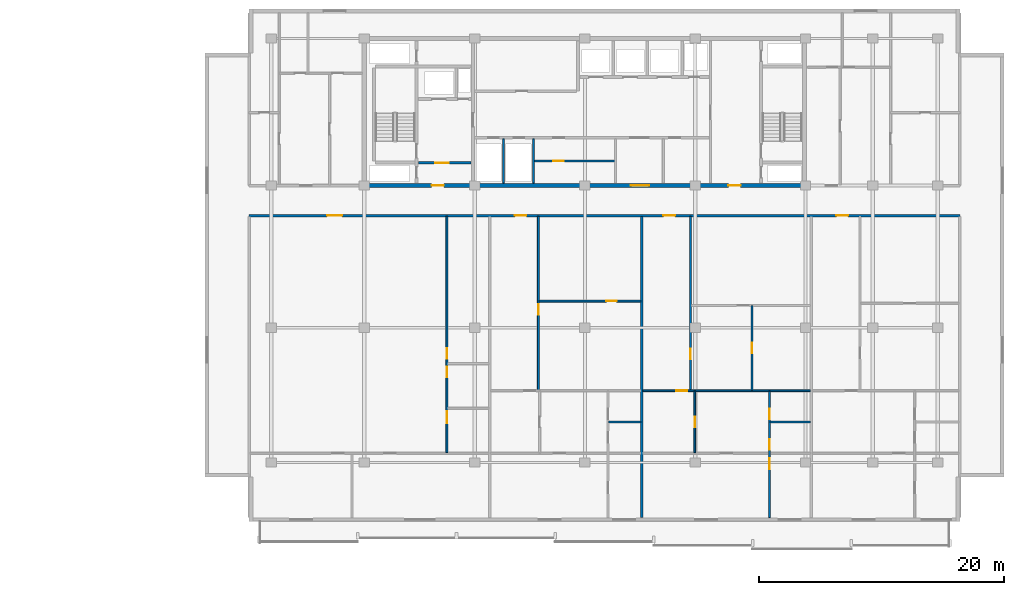
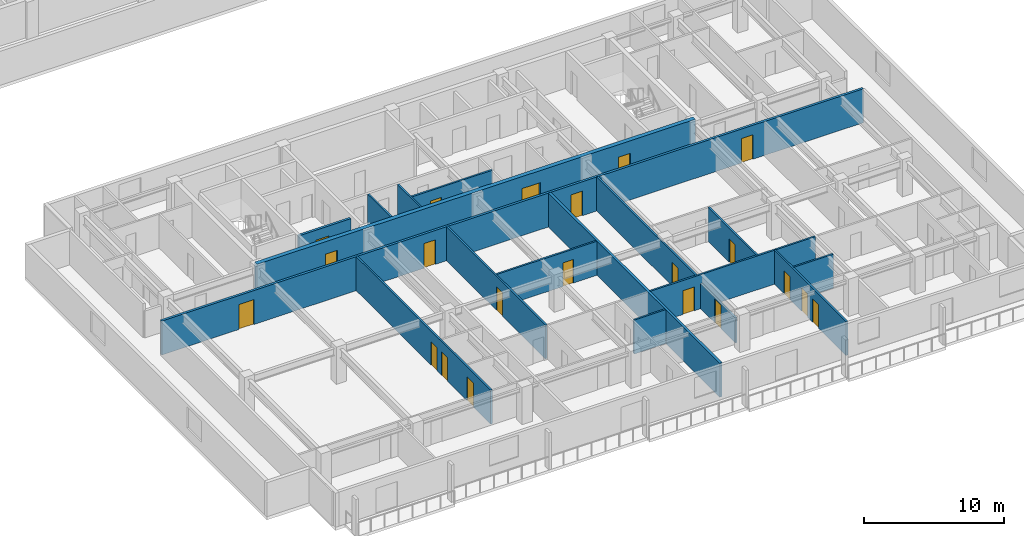
# One storey, part 5 of 22: 21 doors, 17 walls, 21 openings.
"""IFC4 building model written with IfcOpenShell, lengths in metres."""

from ifc_helpers import new_model, si_unit, direction, frame, frame_2d, origin, place, context, subcontext, project, spatial, rectangle, extrude, material, layer, layer_set, type_object, element, fill, save


model = new_model("IFC4")

# Units and contexts
model_context = context("Model", 3, precision=1e-05, world=origin(), true_north=direction((0.0, 1.0)))
body_context = subcontext(model_context, "Body", "Model", "MODEL_VIEW")
ifc_project = project(units=[si_unit("LENGTHUNIT", "METRE"), si_unit("AREAUNIT", "SQUARE_METRE"), si_unit("VOLUMEUNIT", "CUBIC_METRE"), si_unit("PLANEANGLEUNIT", "RADIAN"), si_unit("MASSUNIT", "GRAM", prefix="KILO")], contexts=[model_context])

# Site, building, storey
site_placement = place(None, origin())
site = spatial("IfcSite", under=ifc_project, at=site_placement, CompositionType="ELEMENT")
building_placement = place(site_placement, origin())
building = spatial("IfcBuilding", under=site, at=building_placement, Name="Korimba Cascade Residences", CompositionType="ELEMENT")
storey_placement = place(building_placement, frame((0.0, 0.0, 110.050048828125)))
storey = spatial("IfcBuildingStorey", under=building, at=storey_placement, Name="L31", CompositionType="ELEMENT", Elevation=110.050048828125)

# Wall, openings, doors
ifc_material_1 = material(Name="Concrete C65/80", Category="concrete")
ifc_layer_1 = layer(ifc_material_1, 0.35009765625)
ifc_layer_set_1 = layer_set([ifc_layer_1], Name="Concrete C65/80")
wall_type_1 = type_object("IfcWallType", Name="WAL-CORE-350", PredefinedType="SHEAR", material=ifc_layer_set_1)
wall_1_placement = place(storey_placement, frame((81.925048828125, 18.39990234375, 0.0), z_axis=(0.0, 0.0, 1.0), x_axis=(1.0, 0.0, 0.0)))
wall_1 = element("IfcWall", 1, at=wall_1_placement, inside=storey, type_object=wall_type_1, Name="L31 Core Shear Wall CW-L31-T2-S", PredefinedType="SHEAR", context=body_context, shape_type="SweptSolid", body=[
    extrude(rectangle(XDim=36.264892578125, YDim=0.35009765625, at=frame_2d((18.13232421875, 0.0))), origin(), (0.0, 0.0, 1.0), 3.25),
])
opening_1_placement = place(wall_1_placement, frame((5.675048828125, 0.0, 0.0)))
opening_1 = element("IfcOpeningElement", 2, at=opening_1_placement, cuts=wall_1, Name="Opening D-FD5", PredefinedType="OPENING", context=body_context, shape_type="SweptSolid", body=[
    extrude(rectangle(XDim=1.0, YDim=2.14990234375, at=frame_2d((0.5, 1.074951171875))), frame((0.0, 0.18505859375, 0.0), z_axis=(0.0, -1.0, 0.0), x_axis=(1.0, 0.0, 0.0)), (0.0, 0.0, 1.0), 0.3701171875),
])
opening_2_placement = place(wall_1_placement, frame((21.925048828125, 0.0, 0.0)))
opening_2 = element("IfcOpeningElement", 3, at=opening_2_placement, cuts=wall_1, Name="Opening D-FD8", PredefinedType="OPENING", context=body_context, shape_type="SweptSolid", body=[
    extrude(rectangle(XDim=1.5, YDim=2.199951171875, at=frame_2d((0.75, 1.10009765625))), frame((0.0, 0.18505859375, 0.0), z_axis=(0.0, -1.0, 0.0), x_axis=(1.0, 0.0, 0.0)), (0.0, 0.0, 1.0), 0.3701171875),
])
opening_3_placement = place(wall_1_placement, frame((29.875, 0.0, 0.0)))
opening_3 = element("IfcOpeningElement", 4, at=opening_3_placement, cuts=wall_1, Name="Opening D-FD5", PredefinedType="OPENING", context=body_context, shape_type="SweptSolid", body=[
    extrude(rectangle(XDim=1.0, YDim=2.14990234375, at=frame_2d((0.5, 1.074951171875))), frame((0.0, 0.18505859375, 0.0), z_axis=(0.0, -1.0, 0.0), x_axis=(1.0, 0.0, 0.0)), (0.0, 0.0, 1.0), 0.3701171875),
])
ifc_material_2 = material(Name="Fire-Rated Acoustic Timber Vestibule Door", Category="wood")
door_type_1 = type_object("IfcDoorType", Name="DR-FD90-1000", OperationType="NOTDEFINED", PredefinedType="DOOR", material=ifc_material_2)
door_1_placement = place(opening_1_placement, origin())
door_1 = element("IfcDoor", 5, at=door_1_placement, inside=storey, type_object=door_type_1, Name="L31 T2 West Core Vestibule Fire Door", OperationType="SINGLE_SWING_RIGHT", OverallHeight=2.14990234375, OverallWidth=1.0, PredefinedType="DOOR", context=body_context, shape_type="SweptSolid", body=[
    extrude(rectangle(XDim=1.0, YDim=2.14990234375, at=frame_2d((0.5, 1.074951171875))), frame((0.0, 0.02490234375, 0.0), z_axis=(0.0, -1.0, 0.0), x_axis=(1.0, 0.0, 0.0)), (0.0, 0.0, 1.0), 0.050048828125),
])
fill(opening_1, door_1)
door_2_placement = place(opening_3_placement, origin())
door_2 = element("IfcDoor", 6, at=door_2_placement, inside=storey, type_object=door_type_1, Name="L31 T2 East Stair Vestibule Fire Door", OperationType="SINGLE_SWING_LEFT", OverallHeight=2.14990234375, OverallWidth=1.0, PredefinedType="DOOR", context=body_context, shape_type="SweptSolid", body=[
    extrude(rectangle(XDim=1.0, YDim=2.14990234375, at=frame_2d((0.5, 1.074951171875))), frame((0.0, 0.02490234375, 0.0), z_axis=(0.0, -1.0, 0.0), x_axis=(1.0, 0.0, 0.0)), (0.0, 0.0, 1.0), 0.050048828125),
])
fill(opening_3, door_2)
ifc_material_3 = material(Name="Fire-Rated Glazed Lift Lobby Double Door", Category="glass")
door_type_2 = type_object("IfcDoorType", Name="DR-FD90-1500", OperationType="NOTDEFINED", PredefinedType="DOOR", material=ifc_material_3)
door_3_placement = place(opening_2_placement, origin())
door_3 = element("IfcDoor", 7, at=door_3_placement, inside=storey, type_object=door_type_2, Name="L31 T2 Lift Lobby Fire Door", OperationType="DOUBLE_DOOR_SINGLE_SWING", OverallHeight=2.199951171875, OverallWidth=1.5, PredefinedType="DOOR", context=body_context, shape_type="SweptSolid", body=[
    extrude(rectangle(XDim=1.5, YDim=2.199951171875, at=frame_2d((0.75, 1.10009765625))), frame((0.0, 0.02490234375, 0.0), z_axis=(0.0, -1.0, 0.0), x_axis=(1.0, 0.0, 0.0)), (0.0, 0.0, 1.0), 0.050048828125),
])
fill(opening_2, door_3)

# Wall
ifc_material_4 = material(Name="Precast concrete C40/50", Category="concrete")
ifc_layer_2 = layer(ifc_material_4, 0.199951171875)
ifc_layer_set_2 = layer_set([ifc_layer_2], Name="Precast concrete C40/50")
wall_type_2 = type_object("IfcWallType", Name="WAL-IT-200", PredefinedType="PARTITIONING", material=ifc_layer_set_2)
wall_2_placement = place(storey_placement, frame((104.75, -8.699951171875, 0.0), z_axis=(0.0, 0.0, 1.0), x_axis=(0.0, 1.0, 0.0)))
element("IfcWall", 8, at=wall_2_placement, inside=storey, type_object=wall_type_2, Name="L31 Partition Wall WAL-L31-T2-DEM-2", PredefinedType="PARTITIONING", context=body_context, shape_type="SweptSolid", body=[
    extrude(rectangle(XDim=24.570068359375, YDim=0.199951171875, at=frame_2d((12.28515625, 0.0))), origin(), (0.0, 0.0, 1.0), 2.969970703125),
])

# Wall, openings, doors
wall_3_placement = place(storey_placement, frame((72.699951171875, 15.949951171875, 0.0), z_axis=(0.0, 0.0, 1.0), x_axis=(1.0, 0.0, 0.0)))
wall_3 = element("IfcWall", 9, at=wall_3_placement, inside=storey, type_object=wall_type_2, Name="L31 Partition Wall WAL-L31-T2-CORS", PredefinedType="PARTITIONING", context=body_context, shape_type="SweptSolid", body=[
    extrude(rectangle(XDim=58.0, YDim=0.199951171875, at=frame_2d((29.0, 0.0))), origin(), (0.0, 0.0, 1.0), 2.969970703125),
])
opening_4_placement = place(wall_3_placement, frame((6.373291015625, 0.0, 0.0)))
opening_4 = element("IfcOpeningElement", 10, at=opening_4_placement, cuts=wall_3, Name="Opening D-AM1", PredefinedType="OPENING", context=body_context, shape_type="SweptSolid", body=[
    extrude(rectangle(XDim=1.219970703125, YDim=2.179931640625, at=frame_2d((0.60986328125, 1.08984375))), frame((0.0, 0.10986328125, 0.0), z_axis=(0.0, -1.0, 0.0), x_axis=(1.0, 0.0, 0.0)), (0.0, 0.0, 1.0), 0.219970703125),
])
opening_5_placement = place(wall_3_placement, frame((21.67822265625, 0.0, 0.0)))
opening_5 = element("IfcOpeningElement", 11, at=opening_5_placement, cuts=wall_3, Name="Opening D-UN1", PredefinedType="OPENING", context=body_context, shape_type="SweptSolid", body=[
    extrude(rectangle(XDim=0.949951171875, YDim=2.14990234375, at=frame_2d((0.47509765625, 1.074951171875))), frame((0.0, 0.10986328125, 0.0), z_axis=(0.0, -1.0, 0.0), x_axis=(1.0, 0.0, 0.0)), (0.0, 0.0, 1.0), 0.219970703125),
])
opening_6_placement = place(wall_3_placement, frame((33.81201171875, 0.0, 0.0)))
opening_6 = element("IfcOpeningElement", 12, at=opening_6_placement, cuts=wall_3, Name="Opening D-UN1", PredefinedType="OPENING", context=body_context, shape_type="SweptSolid", body=[
    extrude(rectangle(XDim=0.949951171875, YDim=2.14990234375, at=frame_2d((0.47509765625, 1.074951171875))), frame((0.0, 0.10986328125, 0.0), z_axis=(0.0, -1.0, 0.0), x_axis=(1.0, 0.0, 0.0)), (0.0, 0.0, 1.0), 0.219970703125),
])
opening_7_placement = place(wall_3_placement, frame((47.92822265625, 0.0, 0.0)))
opening_7 = element("IfcOpeningElement", 13, at=opening_7_placement, cuts=wall_3, Name="Opening D-UN1", PredefinedType="OPENING", context=body_context, shape_type="SweptSolid", body=[
    extrude(rectangle(XDim=0.949951171875, YDim=2.14990234375, at=frame_2d((0.47509765625, 1.074951171875))), frame((0.0, 0.10986328125, 0.0), z_axis=(0.0, -1.0, 0.0), x_axis=(1.0, 0.0, 0.0)), (0.0, 0.0, 1.0), 0.219970703125),
])
ifc_material_5 = material(Name="Fire-Rated Glazed Timber Suite Door", Category="wood")
door_type_3 = type_object("IfcDoorType", Name="DR-FD60-1200", OperationType="NOTDEFINED", PredefinedType="DOOR", material=ifc_material_5)
door_4_placement = place(opening_4_placement, origin())
door_4 = element("IfcDoor", 14, at=door_4_placement, inside=storey, type_object=door_type_3, Name="L31-T2-U01 Architecture Reading Library Door", OperationType="SINGLE_SWING_RIGHT", OverallHeight=2.179931640625, OverallWidth=1.219970703125, PredefinedType="DOOR", context=body_context, shape_type="SweptSolid", body=[
    extrude(rectangle(XDim=1.219970703125, YDim=2.179931640625, at=frame_2d((0.60986328125, 1.08984375))), frame((0.0, 0.02490234375, 0.0), z_axis=(0.0, -1.0, 0.0), x_axis=(1.0, 0.0, 0.0)), (0.0, 0.0, 1.0), 0.050048828125),
])
fill(opening_4, door_4)
ifc_material_6 = material(Name="Fire-Rated Hardwood Apartment Entrance Door", Category="wood")
door_type_4 = type_object("IfcDoorType", Name="DR-FD60-950", OperationType="NOTDEFINED", PredefinedType="DOOR", material=ifc_material_6)
door_5_placement = place(opening_5_placement, origin())
door_5 = element("IfcDoor", 15, at=door_5_placement, inside=storey, type_object=door_type_4, Name="Unit L31-T2-U02 Entrance Door", OperationType="SINGLE_SWING_LEFT", OverallHeight=2.14990234375, OverallWidth=0.949951171875, PredefinedType="DOOR", context=body_context, shape_type="SweptSolid", body=[
    extrude(rectangle(XDim=0.949951171875, YDim=2.14990234375, at=frame_2d((0.47509765625, 1.074951171875))), frame((0.0, 0.02490234375, 0.0), z_axis=(0.0, -1.0, 0.0), x_axis=(1.0, 0.0, 0.0)), (0.0, 0.0, 1.0), 0.050048828125),
])
fill(opening_5, door_5)
door_6_placement = place(opening_6_placement, origin())
door_6 = element("IfcDoor", 16, at=door_6_placement, inside=storey, type_object=door_type_4, Name="Unit L31-T2-U03 Entrance Door", OperationType="SINGLE_SWING_RIGHT", OverallHeight=2.14990234375, OverallWidth=0.949951171875, PredefinedType="DOOR", context=body_context, shape_type="SweptSolid", body=[
    extrude(rectangle(XDim=0.949951171875, YDim=2.14990234375, at=frame_2d((0.47509765625, 1.074951171875))), frame((0.0, 0.02490234375, 0.0), z_axis=(0.0, -1.0, 0.0), x_axis=(1.0, 0.0, 0.0)), (0.0, 0.0, 1.0), 0.050048828125),
])
fill(opening_6, door_6)
door_7_placement = place(opening_7_placement, origin())
door_7 = element("IfcDoor", 17, at=door_7_placement, inside=storey, type_object=door_type_4, Name="Unit L31-T2-U04 Entrance Door", OperationType="SINGLE_SWING_LEFT", OverallHeight=2.14990234375, OverallWidth=0.949951171875, PredefinedType="DOOR", context=body_context, shape_type="SweptSolid", body=[
    extrude(rectangle(XDim=0.949951171875, YDim=2.14990234375, at=frame_2d((0.47509765625, 1.074951171875))), frame((0.0, 0.02490234375, 0.0), z_axis=(0.0, -1.0, 0.0), x_axis=(1.0, 0.0, 0.0)), (0.0, 0.0, 1.0), 0.050048828125),
])
fill(opening_7, door_7)

# Walls
ifc_material_7 = material(Name="Insulated Acoustic Stud Partition", Category="gypsum")
ifc_layer_3 = layer(ifc_material_7, 0.14990234375)
ifc_layer_set_3 = layer_set([ifc_layer_3], Name="Insulated Acoustic Stud Partition")
wall_type_3 = type_object("IfcWallType", Name="WAL-PART-150", PredefinedType="PARTITIONING", material=ifc_layer_set_3)
for number, where, z_axis, x_axis, name in (
    (18, (93.449951171875, 18.60009765625, 0.0), (0.0, 0.0, 1.0), (0.0, 1.0, 0.0), "L31 Partition Wall CW-L31-T2-ERDIV"),
    (19, (95.89990234375, 18.60009765625, 0.0), (0.0, 0.0, 1.0), (0.0, 1.0, 0.0), "L31 Partition Wall CW-L31-T2-PRDIV"),
):
    element("IfcWall", number, at=place(storey_placement, frame(where, z_axis=z_axis, x_axis=x_axis)), inside=storey, type_object=wall_type_3, Name=name, PredefinedType="PARTITIONING", context=body_context, shape_type="SweptSolid", body=[
        extrude(rectangle(XDim=3.599853515625, YDim=0.14990234375, at=frame_2d((1.7998046875, 0.0))), origin(), (0.0, 0.0, 1.0), 2.969970703125),
    ])

# Wall, opening, door
wall_4_placement = place(storey_placement, frame((95.89990234375, 20.39990234375, 0.0), z_axis=(0.0, 0.0, 1.0), x_axis=(1.0, 0.0, 0.0)))
wall_4 = element("IfcWall", 20, at=wall_4_placement, inside=storey, type_object=wall_type_3, Name="L31 Partition Wall CW-L31-T2-CA2HZ", PredefinedType="PARTITIONING", context=body_context, shape_type="SweptSolid", body=[
    extrude(rectangle(XDim=6.7001953125, YDim=0.14990234375, at=frame_2d((3.35009765625, 0.0))), origin(), (0.0, 0.0, 1.0), 2.969970703125),
])
opening_8_placement = place(wall_4_placement, frame((1.60009765625, 0.0, 0.0)))
opening_8 = element("IfcOpeningElement", 21, at=opening_8_placement, cuts=wall_4, Name="Opening D-IN2", PredefinedType="OPENING", context=body_context, shape_type="SweptSolid", body=[
    extrude(rectangle(XDim=0.8798828125, YDim=2.06005859375, at=frame_2d((0.43994140625, 1.030029296875))), frame((0.0, 0.0849609375, 0.0), z_axis=(0.0, -1.0, 0.0), x_axis=(1.0, 0.0, 0.0)), (0.0, 0.0, 1.0), 0.169921875),
])
ifc_material_8 = material(Name="Acoustic Timber Bedroom Door", Category="wood")
door_type_5 = type_object("IfcDoorType", Name="DR-INT-880", OperationType="NOTDEFINED", PredefinedType="DOOR", material=ifc_material_8)
door_8_placement = place(opening_8_placement, origin())
door_8 = element("IfcDoor", 22, at=door_8_placement, inside=storey, type_object=door_type_5, Name="L31 T2 Pram Store Door", OperationType="SINGLE_SWING_RIGHT", OverallHeight=2.06005859375, OverallWidth=0.8798828125, PredefinedType="DOOR", context=body_context, shape_type="SweptSolid", body=[
    extrude(rectangle(XDim=0.8798828125, YDim=2.06005859375, at=frame_2d((0.43994140625, 1.030029296875))), frame((0.0, 0.02490234375, 0.0), z_axis=(0.0, -1.0, 0.0), x_axis=(1.0, 0.0, 0.0)), (0.0, 0.0, 1.0), 0.050048828125),
])
fill(opening_8, door_8)

# Wall, openings, doors
wall_5_placement = place(storey_placement, frame((88.833251953125, -3.389892578125, 0.0), z_axis=(0.0, 0.0, 1.0), x_axis=(0.0, 1.0, 0.0)))
wall_5 = element("IfcWall", 23, at=wall_5_placement, inside=storey, type_object=wall_type_3, Name="L31 Partition Wall WAL-L31-T2-U01-WCV", PredefinedType="PARTITIONING", context=body_context, shape_type="SweptSolid", body=[
    extrude(rectangle(XDim=19.27978515625, YDim=0.14990234375, at=frame_2d((9.639892578125, 0.0))), origin(), (0.0, 0.0, 1.0), 2.969970703125),
])
opening_9_placement = place(wall_5_placement, frame((2.406005859375, 0.0, 0.0)))
opening_9 = element("IfcOpeningElement", 24, at=opening_9_placement, cuts=wall_5, Name="Opening D-AC1", PredefinedType="OPENING", context=body_context, shape_type="SweptSolid", body=[
    extrude(rectangle(XDim=0.9599609375, YDim=2.10009765625, at=frame_2d((0.47998046875, 1.050048828125))), frame((0.0, 0.0849609375, 0.0), z_axis=(0.0, -1.0, 0.0), x_axis=(1.0, 0.0, 0.0)), (0.0, 0.0, 1.0), 0.169921875),
])
opening_10_placement = place(wall_5_placement, frame((6.132568359375, 0.0, 0.0)))
opening_10 = element("IfcOpeningElement", 25, at=opening_10_placement, cuts=wall_5, Name="Opening D-IN2", PredefinedType="OPENING", context=body_context, shape_type="SweptSolid", body=[
    extrude(rectangle(XDim=0.8798828125, YDim=2.06005859375, at=frame_2d((0.43994140625, 1.030029296875))), frame((0.0, 0.0849609375, 0.0), z_axis=(0.0, -1.0, 0.0), x_axis=(1.0, 0.0, 0.0)), (0.0, 0.0, 1.0), 0.169921875),
])
opening_11_placement = place(wall_5_placement, frame((7.67431640625, 0.0, 0.0)))
opening_11 = element("IfcOpeningElement", 26, at=opening_11_placement, cuts=wall_5, Name="Opening D-BT1", PredefinedType="OPENING", context=body_context, shape_type="SweptSolid", body=[
    extrude(rectangle(XDim=0.840087890625, YDim=2.0400390625, at=frame_2d((0.419921875, 1.02001953125))), frame((0.0, 0.0849609375, 0.0), z_axis=(0.0, -1.0, 0.0), x_axis=(1.0, 0.0, 0.0)), (0.0, 0.0, 1.0), 0.169921875),
])
ifc_material_9 = material(Name="Accessible Acoustic Timber WC Door", Category="wood")
door_type_6 = type_object("IfcDoorType", Name="DR-ACC-950", OperationType="NOTDEFINED", PredefinedType="DOOR", material=ifc_material_9)
door_9_placement = place(opening_9_placement, origin())
door_9 = element("IfcDoor", 27, at=door_9_placement, inside=storey, type_object=door_type_6, Name="L31-T2-U01 Accessible WC Door", OperationType="SINGLE_SWING_LEFT", OverallHeight=2.10009765625, OverallWidth=0.9599609375, PredefinedType="DOOR", context=body_context, shape_type="SweptSolid", body=[
    extrude(rectangle(XDim=0.9599609375, YDim=2.10009765625, at=frame_2d((0.47998046875, 1.050048828125))), frame((0.0, 0.02490234375, 0.0), z_axis=(0.0, -1.0, 0.0), x_axis=(1.0, 0.0, 0.0)), (0.0, 0.0, 1.0), 0.050048828125),
])
fill(opening_9, door_9)
ifc_material_10 = material(Name="Moisture-Resistant Bathroom Timber Door", Category="wood")
door_type_7 = type_object("IfcDoorType", Name="DR-INT-850", OperationType="NOTDEFINED", PredefinedType="DOOR", material=ifc_material_10)
door_10_placement = place(opening_11_placement, origin())
door_10 = element("IfcDoor", 28, at=door_10_placement, inside=storey, type_object=door_type_7, Name="L31-T2-U01 Suite Store Door", OperationType="SINGLE_SWING_LEFT", OverallHeight=2.0400390625, OverallWidth=0.840087890625, PredefinedType="DOOR", context=body_context, shape_type="SweptSolid", body=[
    extrude(rectangle(XDim=0.840087890625, YDim=2.0400390625, at=frame_2d((0.419921875, 1.02001953125))), frame((0.0, 0.02490234375, 0.0), z_axis=(0.0, -1.0, 0.0), x_axis=(1.0, 0.0, 0.0)), (0.0, 0.0, 1.0), 0.050048828125),
])
fill(opening_11, door_10)
door_11_placement = place(opening_10_placement, origin())
door_11 = element("IfcDoor", 29, at=door_11_placement, inside=storey, type_object=door_type_5, Name="L31-T2-U01 Restroom WC Door", OperationType="SINGLE_SWING_RIGHT", OverallHeight=2.06005859375, OverallWidth=0.8798828125, PredefinedType="DOOR", context=body_context, shape_type="SweptSolid", body=[
    extrude(rectangle(XDim=0.8798828125, YDim=2.06005859375, at=frame_2d((0.43994140625, 1.030029296875))), frame((0.0, 0.02490234375, 0.0), z_axis=(0.0, -1.0, 0.0), x_axis=(1.0, 0.0, 0.0)), (0.0, 0.0, 1.0), 0.050048828125),
])
fill(opening_10, door_11)

# Wall, opening, door
wall_6_placement = place(storey_placement, frame((96.36328125, 8.969970703125, 0.0), z_axis=(0.0, 0.0, 1.0), x_axis=(1.0, 0.0, 0.0)))
wall_6 = element("IfcWall", 30, at=wall_6_placement, inside=storey, type_object=wall_type_3, Name="L31 Partition Wall WAL-L31-T2-U02-FMH", PredefinedType="PARTITIONING", context=body_context, shape_type="SweptSolid", body=[
    extrude(rectangle(XDim=8.306640625, YDim=0.14990234375, at=frame_2d((4.1533203125, 0.0))), origin(), (0.0, 0.0, 1.0), 2.969970703125),
])
opening_12_placement = place(wall_6_placement, frame((5.46240234375, 0.0, 0.0)))
opening_12 = element("IfcOpeningElement", 31, at=opening_12_placement, cuts=wall_6, Name="Opening D-IN2", PredefinedType="OPENING", context=body_context, shape_type="SweptSolid", body=[
    extrude(rectangle(XDim=0.8798828125, YDim=2.06005859375, at=frame_2d((0.43994140625, 1.030029296875))), frame((0.0, 0.0849609375, 0.0), z_axis=(0.0, -1.0, 0.0), x_axis=(1.0, 0.0, 0.0)), (0.0, 0.0, 1.0), 0.169921875),
])
door_12_placement = place(opening_12_placement, origin())
door_12 = element("IfcDoor", 32, at=door_12_placement, inside=storey, type_object=door_type_5, Name="L31-T2-U02 Library Salon Door", OperationType="SINGLE_SWING_RIGHT", OverallHeight=2.06005859375, OverallWidth=0.8798828125, PredefinedType="DOOR", context=body_context, shape_type="SweptSolid", body=[
    extrude(rectangle(XDim=0.8798828125, YDim=2.06005859375, at=frame_2d((0.43994140625, 1.030029296875))), frame((0.0, 0.02490234375, 0.0), z_axis=(0.0, -1.0, 0.0), x_axis=(1.0, 0.0, 0.0)), (0.0, 0.0, 1.0), 0.050048828125),
])
fill(opening_12, door_12)

wall_7_placement = place(storey_placement, frame((96.30322265625, 1.68994140625, 0.0), z_axis=(0.0, 0.0, 1.0), x_axis=(0.0, 1.0, 0.0)))
wall_7 = element("IfcWall", 33, at=wall_7_placement, inside=storey, type_object=wall_type_3, Name="L31 Partition Wall WAL-L31-T2-U02-FV", PredefinedType="PARTITIONING", context=body_context, shape_type="SweptSolid", body=[
    extrude(rectangle(XDim=14.199951171875, YDim=0.14990234375, at=frame_2d((7.10009765625, 0.0))), origin(), (0.0, 0.0, 1.0), 2.969970703125),
])
opening_13_placement = place(wall_7_placement, frame((6.14990234375, 0.0, 0.0)))
opening_13 = element("IfcOpeningElement", 34, at=opening_13_placement, cuts=wall_7, Name="Opening D-IN2", PredefinedType="OPENING", context=body_context, shape_type="SweptSolid", body=[
    extrude(rectangle(XDim=0.8798828125, YDim=2.06005859375, at=frame_2d((0.43994140625, 1.030029296875))), frame((0.0, 0.0849609375, 0.0), z_axis=(0.0, -1.0, 0.0), x_axis=(1.0, 0.0, 0.0)), (0.0, 0.0, 1.0), 0.169921875),
])
door_13_placement = place(opening_13_placement, origin())
door_13 = element("IfcDoor", 35, at=door_13_placement, inside=storey, type_object=door_type_5, Name="L31-T2-U02 Media Lounge Door", OperationType="SINGLE_SWING_LEFT", OverallHeight=2.06005859375, OverallWidth=0.8798828125, PredefinedType="DOOR", context=body_context, shape_type="SweptSolid", body=[
    extrude(rectangle(XDim=0.8798828125, YDim=2.06005859375, at=frame_2d((0.43994140625, 1.030029296875))), frame((0.0, 0.02490234375, 0.0), z_axis=(0.0, -1.0, 0.0), x_axis=(1.0, 0.0, 0.0)), (0.0, 0.0, 1.0), 0.050048828125),
])
fill(opening_13, door_13)

# Wall
wall_8_placement = place(storey_placement, frame((102.0400390625, -0.889892578125, 0.0), z_axis=(0.0, 0.0, 1.0), x_axis=(1.0, 0.0, 0.0)))
element("IfcWall", 36, at=wall_8_placement, inside=storey, type_object=wall_type_3, Name="L31 Partition Wall WAL-L31-T2-U02-BLDIV", PredefinedType="PARTITIONING", context=body_context, shape_type="SweptSolid", body=[
    extrude(rectangle(XDim=2.6298828125, YDim=0.14990234375, at=frame_2d((1.31494140625, 0.0))), origin(), (0.0, 0.0, 1.0), 2.969970703125),
])

# Wall, opening, door
wall_9_placement = place(storey_placement, frame((113.74169921875, 1.68994140625, 0.0), z_axis=(0.0, 0.0, 1.0), x_axis=(0.0, 1.0, 0.0)))
wall_9 = element("IfcWall", 37, at=wall_9_placement, inside=storey, type_object=wall_type_3, Name="L31 Partition Wall WAL-L31-T2-U03-FMV", PredefinedType="PARTITIONING", context=body_context, shape_type="SweptSolid", body=[
    extrude(rectangle(XDim=6.920166015625, YDim=0.14990234375, at=frame_2d((3.4599609375, 0.0))), origin(), (0.0, 0.0, 1.0), 2.969970703125),
])
opening_14_placement = place(wall_9_placement, frame((3.0400390625, 0.0, 0.0)))
opening_14 = element("IfcOpeningElement", 38, at=opening_14_placement, cuts=wall_9, Name="Opening D-BT1", PredefinedType="OPENING", context=body_context, shape_type="SweptSolid", body=[
    extrude(rectangle(XDim=0.840087890625, YDim=2.0400390625, at=frame_2d((0.419921875, 1.02001953125))), frame((0.0, 0.0849609375, 0.0), z_axis=(0.0, -1.0, 0.0), x_axis=(1.0, 0.0, 0.0)), (0.0, 0.0, 1.0), 0.169921875),
])
door_14_placement = place(opening_14_placement, origin())
door_14 = element("IfcDoor", 39, at=door_14_placement, inside=storey, type_object=door_type_7, Name="L31-T2-U03 Wardrobe Door", OperationType="SINGLE_SWING_RIGHT", OverallHeight=2.0400390625, OverallWidth=0.840087890625, PredefinedType="DOOR", context=body_context, shape_type="SweptSolid", body=[
    extrude(rectangle(XDim=0.840087890625, YDim=2.0400390625, at=frame_2d((0.419921875, 1.02001953125))), frame((0.0, 0.02490234375, 0.0), z_axis=(0.0, -1.0, 0.0), x_axis=(1.0, 0.0, 0.0)), (0.0, 0.0, 1.0), 0.050048828125),
])
fill(opening_14, door_14)

wall_10_placement = place(storey_placement, frame((108.719970703125, 1.68994140625, 0.0), z_axis=(0.0, 0.0, 1.0), x_axis=(0.0, 1.0, 0.0)))
wall_10 = element("IfcWall", 40, at=wall_10_placement, inside=storey, type_object=wall_type_3, Name="L31 Partition Wall WAL-L31-T2-U03-FV", PredefinedType="PARTITIONING", context=body_context, shape_type="SweptSolid", body=[
    extrude(rectangle(XDim=14.199951171875, YDim=0.14990234375, at=frame_2d((7.10009765625, 0.0))), origin(), (0.0, 0.0, 1.0), 2.969970703125),
])
opening_15_placement = place(wall_10_placement, frame((2.52587890625, 0.0, 0.0)))
opening_15 = element("IfcOpeningElement", 41, at=opening_15_placement, cuts=wall_10, Name="Opening D-IN2", PredefinedType="OPENING", context=body_context, shape_type="SweptSolid", body=[
    extrude(rectangle(XDim=0.8798828125, YDim=2.06005859375, at=frame_2d((0.43994140625, 1.030029296875))), frame((0.0, 0.0849609375, 0.0), z_axis=(0.0, -1.0, 0.0), x_axis=(1.0, 0.0, 0.0)), (0.0, 0.0, 1.0), 0.169921875),
])
door_15_placement = place(opening_15_placement, origin())
door_15 = element("IfcDoor", 42, at=door_15_placement, inside=storey, type_object=door_type_5, Name="L31-T2-U03 Media Lounge Door", OperationType="SINGLE_SWING_RIGHT", OverallHeight=2.06005859375, OverallWidth=0.8798828125, PredefinedType="DOOR", context=body_context, shape_type="SweptSolid", body=[
    extrude(rectangle(XDim=0.8798828125, YDim=2.06005859375, at=frame_2d((0.43994140625, 1.030029296875))), frame((0.0, 0.02490234375, 0.0), z_axis=(0.0, -1.0, 0.0), x_axis=(1.0, 0.0, 0.0)), (0.0, 0.0, 1.0), 0.050048828125),
])
fill(opening_15, door_15)

wall_11_placement = place(storey_placement, frame((109.070068359375, -3.389892578125, 0.0), z_axis=(0.0, 0.0, 1.0), x_axis=(0.0, 1.0, 0.0)))
wall_11 = element("IfcWall", 43, at=wall_11_placement, inside=storey, type_object=wall_type_3, Name="L31 Partition Wall WAL-L31-T2-U03-VDIN", PredefinedType="PARTITIONING", context=body_context, shape_type="SweptSolid", body=[
    extrude(rectangle(XDim=5.0, YDim=0.14990234375, at=frame_2d((2.5, 0.0))), origin(), (0.0, 0.0, 1.0), 2.2001953125),
])
opening_16_placement = place(wall_11_placement, frame((2.06005859375, 0.0, 0.0)))
opening_16 = element("IfcOpeningElement", 44, at=opening_16_placement, cuts=wall_11, Name="Opening D-IN2", PredefinedType="OPENING", context=body_context, shape_type="SweptSolid", body=[
    extrude(rectangle(XDim=0.8798828125, YDim=2.06005859375, at=frame_2d((0.43994140625, 1.030029296875))), frame((0.0, 0.0849609375, 0.0), z_axis=(0.0, -1.0, 0.0), x_axis=(1.0, 0.0, 0.0)), (0.0, 0.0, 1.0), 0.169921875),
])
door_16_placement = place(opening_16_placement, origin())
door_16 = element("IfcDoor", 45, at=door_16_placement, inside=storey, type_object=door_type_5, Name="L31-T2-U03 Dining Room Door", OperationType="SINGLE_SWING_LEFT", OverallHeight=2.06005859375, OverallWidth=0.8798828125, PredefinedType="DOOR", context=body_context, shape_type="SweptSolid", body=[
    extrude(rectangle(XDim=0.8798828125, YDim=2.06005859375, at=frame_2d((0.43994140625, 1.030029296875))), frame((0.0, 0.02490234375, 0.0), z_axis=(0.0, -1.0, 0.0), x_axis=(1.0, 0.0, 0.0)), (0.0, 0.0, 1.0), 0.050048828125),
])
fill(opening_16, door_16)

# Wall
wall_12_placement = place(storey_placement, frame((115.223388671875, -0.889892578125, 0.0), z_axis=(0.0, 0.0, 1.0), x_axis=(1.0, 0.0, 0.0)))
element("IfcWall", 46, at=wall_12_placement, inside=storey, type_object=wall_type_3, Name="L31 Partition Wall WAL-L31-T2-U03-BLDIV", PredefinedType="PARTITIONING", context=body_context, shape_type="SweptSolid", body=[
    extrude(rectangle(XDim=3.280029296875, YDim=0.14990234375, at=frame_2d((1.64013671875, 0.0))), origin(), (0.0, 0.0, 1.0), 2.969970703125),
])

# Wall, openings, doors
wall_13_placement = place(storey_placement, frame((115.163330078125, -8.699951171875, 0.0), z_axis=(0.0, 0.0, 1.0), x_axis=(0.0, 1.0, 0.0)))
wall_13 = element("IfcWall", 47, at=wall_13_placement, inside=storey, type_object=wall_type_3, Name="L31 Partition Wall WAL-L31-T2-U03-V1", PredefinedType="PARTITIONING", context=body_context, shape_type="SweptSolid", body=[
    extrude(rectangle(XDim=10.31005859375, YDim=0.14990234375, at=frame_2d((5.155029296875, 0.0))), origin(), (0.0, 0.0, 1.0), 2.969970703125),
])
opening_17_placement = place(wall_13_placement, frame((5.550048828125, 0.0, 0.0)))
opening_17 = element("IfcOpeningElement", 48, at=opening_17_placement, cuts=wall_13, Name="Opening D-BT1", PredefinedType="OPENING", context=body_context, shape_type="SweptSolid", body=[
    extrude(rectangle(XDim=0.840087890625, YDim=2.0400390625, at=frame_2d((0.419921875, 1.02001953125))), frame((0.0, 0.0849609375, 0.0), z_axis=(0.0, -1.0, 0.0), x_axis=(1.0, 0.0, 0.0)), (0.0, 0.0, 1.0), 0.169921875),
])
opening_18_placement = place(wall_13_placement, frame((8.03955078125, 0.0, 0.0)))
opening_18 = element("IfcOpeningElement", 49, at=opening_18_placement, cuts=wall_13, Name="Opening D-BT1", PredefinedType="OPENING", context=body_context, shape_type="SweptSolid", body=[
    extrude(rectangle(XDim=0.840087890625, YDim=2.0400390625, at=frame_2d((0.419921875, 1.02001953125))), frame((0.0, 0.0849609375, 0.0), z_axis=(0.0, -1.0, 0.0), x_axis=(1.0, 0.0, 0.0)), (0.0, 0.0, 1.0), 0.169921875),
])
opening_19_placement = place(wall_13_placement, frame((3.949951171875, 0.0, 0.0)))
opening_19 = element("IfcOpeningElement", 50, at=opening_19_placement, cuts=wall_13, Name="Opening D-IN2", PredefinedType="OPENING", context=body_context, shape_type="SweptSolid", body=[
    extrude(rectangle(XDim=0.8798828125, YDim=2.06005859375, at=frame_2d((0.43994140625, 1.030029296875))), frame((0.0, 0.0849609375, 0.0), z_axis=(0.0, -1.0, 0.0), x_axis=(1.0, 0.0, 0.0)), (0.0, 0.0, 1.0), 0.169921875),
])
door_17_placement = place(opening_17_placement, origin())
door_17 = element("IfcDoor", 51, at=door_17_placement, inside=storey, type_object=door_type_7, Name="L31-T2-U03 Bathroom Door", OperationType="SINGLE_SWING_RIGHT", OverallHeight=2.0400390625, OverallWidth=0.840087890625, PredefinedType="DOOR", context=body_context, shape_type="SweptSolid", body=[
    extrude(rectangle(XDim=0.840087890625, YDim=2.0400390625, at=frame_2d((0.419921875, 1.02001953125))), frame((0.0, 0.02490234375, 0.0), z_axis=(0.0, -1.0, 0.0), x_axis=(1.0, 0.0, 0.0)), (0.0, 0.0, 1.0), 0.050048828125),
])
fill(opening_17, door_17)
door_18_placement = place(opening_18_placement, origin())
door_18 = element("IfcDoor", 52, at=door_18_placement, inside=storey, type_object=door_type_7, Name="L31-T2-U03 Laundry Door", OperationType="SINGLE_SWING_LEFT", OverallHeight=2.0400390625, OverallWidth=0.840087890625, PredefinedType="DOOR", context=body_context, shape_type="SweptSolid", body=[
    extrude(rectangle(XDim=0.840087890625, YDim=2.0400390625, at=frame_2d((0.419921875, 1.02001953125))), frame((0.0, 0.02490234375, 0.0), z_axis=(0.0, -1.0, 0.0), x_axis=(1.0, 0.0, 0.0)), (0.0, 0.0, 1.0), 0.050048828125),
])
fill(opening_18, door_18)
door_19_placement = place(opening_19_placement, origin())
door_19 = element("IfcDoor", 53, at=door_19_placement, inside=storey, type_object=door_type_5, Name="L31-T2-U03 Bedroom 1 Door", OperationType="SINGLE_SWING_RIGHT", OverallHeight=2.06005859375, OverallWidth=0.8798828125, PredefinedType="DOOR", context=body_context, shape_type="SweptSolid", body=[
    extrude(rectangle(XDim=0.8798828125, YDim=2.06005859375, at=frame_2d((0.43994140625, 1.030029296875))), frame((0.0, 0.02490234375, 0.0), z_axis=(0.0, -1.0, 0.0), x_axis=(1.0, 0.0, 0.0)), (0.0, 0.0, 1.0), 0.050048828125),
])
fill(opening_19, door_19)

# Wall, opening, door
wall_14_placement = place(storey_placement, frame((104.830078125, 1.64990234375, 0.0), z_axis=(0.0, 0.0, 1.0), x_axis=(1.0, 0.0, 0.0)))
wall_14 = element("IfcWall", 54, at=wall_14_placement, inside=storey, type_object=wall_type_3, Name="L31 Partition Wall WAL-L31-T2-U03-MW", PredefinedType="PARTITIONING", context=body_context, shape_type="SweptSolid", body=[
    extrude(rectangle(XDim=13.67333984375, YDim=0.14990234375, at=frame_2d((6.836669921875, 0.0))), origin(), (0.0, 0.0, 1.0), 2.969970703125),
])
opening_20_placement = place(wall_14_placement, frame((2.719970703125, 0.0, 0.0)))
opening_20 = element("IfcOpeningElement", 55, at=opening_20_placement, cuts=wall_14, Name="Opening D-IN1", PredefinedType="OPENING", context=body_context, shape_type="SweptSolid", body=[
    extrude(rectangle(XDim=0.919921875, YDim=2.080078125, at=frame_2d((0.4599609375, 1.0400390625))), frame((0.0, 0.0849609375, 0.0), z_axis=(0.0, -1.0, 0.0), x_axis=(1.0, 0.0, 0.0)), (0.0, 0.0, 1.0), 0.169921875),
])
ifc_material_11 = material(Name="Acoustic Timber Living Door", Category="wood")
door_type_8 = type_object("IfcDoorType", Name="DR-INT-920", OperationType="NOTDEFINED", PredefinedType="DOOR", material=ifc_material_11)
door_20_placement = place(opening_20_placement, origin())
door_20 = element("IfcDoor", 56, at=door_20_placement, inside=storey, type_object=door_type_8, Name="L31-T2-U03 Kitchen Archway Door", OperationType="SINGLE_SWING_LEFT", OverallHeight=2.080078125, OverallWidth=0.919921875, PredefinedType="DOOR", context=body_context, shape_type="SweptSolid", body=[
    extrude(rectangle(XDim=0.919921875, YDim=2.080078125, at=frame_2d((0.4599609375, 1.0400390625))), frame((0.0, 0.02490234375, 0.0), z_axis=(0.0, -1.0, 0.0), x_axis=(1.0, 0.0, 0.0)), (0.0, 0.0, 1.0), 0.050048828125),
])
fill(opening_20, door_20)

ifc_material_12 = material(Name="Concrete C40/50", Category="concrete")
ifc_layer_4 = layer(ifc_material_12, 0.199951171875)
ifc_layer_set_4 = layer_set([ifc_layer_4], Name="Concrete C40/50")
wall_type_4 = type_object("IfcWallType", Name="WAL-PART-200", PredefinedType="PARTITIONING", material=ifc_layer_set_4)
wall_15_placement = place(storey_placement, frame((86.5, 20.25, 0.0), z_axis=(0.0, 0.0, 1.0), x_axis=(1.0, 0.0, 0.0)))
wall_15 = element("IfcWall", 57, at=wall_15_placement, inside=storey, type_object=wall_type_4, Name="L31 Partition Wall CW-L31-T2-FFLS", PredefinedType="PARTITIONING", context=body_context, shape_type="SweptSolid", body=[
    extrude(rectangle(XDim=4.320068359375, YDim=0.199951171875, at=frame_2d((2.16015625, 0.0))), origin(), (0.0, 0.0, 1.0), 2.969970703125),
])
opening_21_placement = place(wall_15_placement, frame((1.39990234375, 0.0, 0.0)))
opening_21 = element("IfcOpeningElement", 58, at=opening_21_placement, cuts=wall_15, Name="Opening D-FD1", PredefinedType="OPENING", context=body_context, shape_type="SweptSolid", body=[
    extrude(rectangle(XDim=1.10009765625, YDim=2.10009765625, at=frame_2d((0.550048828125, 1.050048828125))), frame((0.0, 0.10986328125, 0.0), z_axis=(0.0, -1.0, 0.0), x_axis=(1.0, 0.0, 0.0)), (0.0, 0.0, 1.0), 0.219970703125),
])
ifc_material_13 = material(Name="Fire-Rated Steel Core Door", Category="steel")
door_type_9 = type_object("IfcDoorType", Name="DR-FD120-1100", OperationType="NOTDEFINED", PredefinedType="DOOR", material=ifc_material_13)
door_21_placement = place(opening_21_placement, origin())
door_21 = element("IfcDoor", 59, at=door_21_placement, inside=storey, type_object=door_type_9, Name="L31 T2 Firefighting Lobby Door", OperationType="SINGLE_SWING_RIGHT", OverallHeight=2.10009765625, OverallWidth=1.10009765625, PredefinedType="DOOR", context=body_context, shape_type="SweptSolid", body=[
    extrude(rectangle(XDim=1.10009765625, YDim=2.10009765625, at=frame_2d((0.550048828125, 1.050048828125))), frame((0.0, 0.02490234375, 0.0), z_axis=(0.0, -1.0, 0.0), x_axis=(1.0, 0.0, 0.0)), (0.0, 0.0, 1.0), 0.050048828125),
])
fill(opening_21, door_21)

save(model, "model.ifc")
